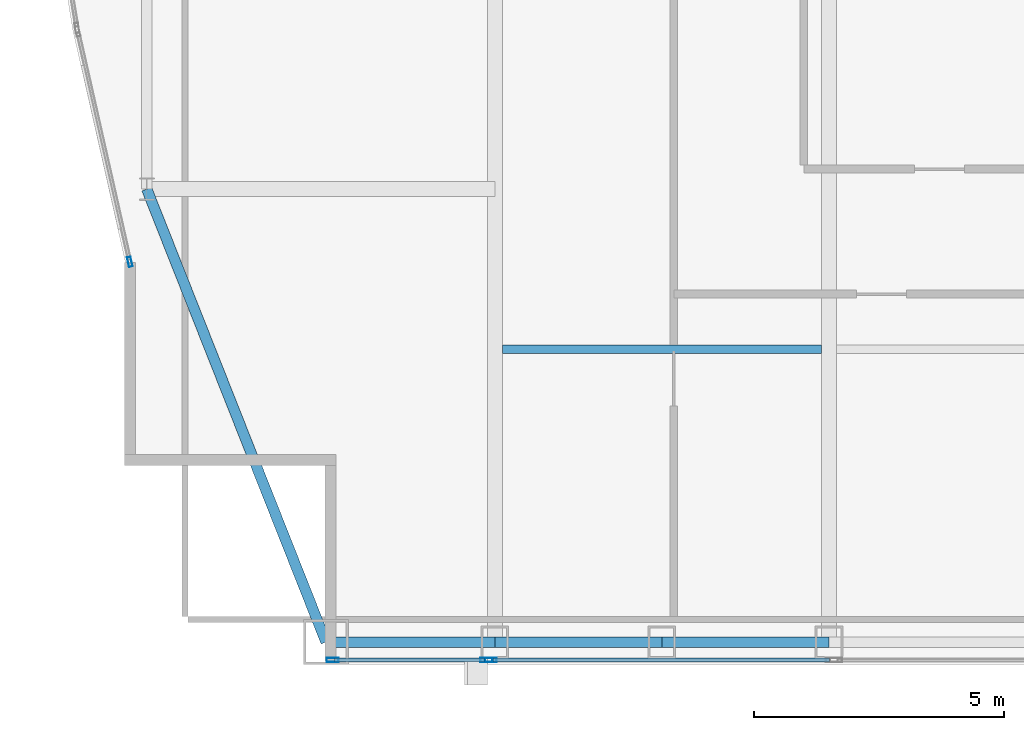
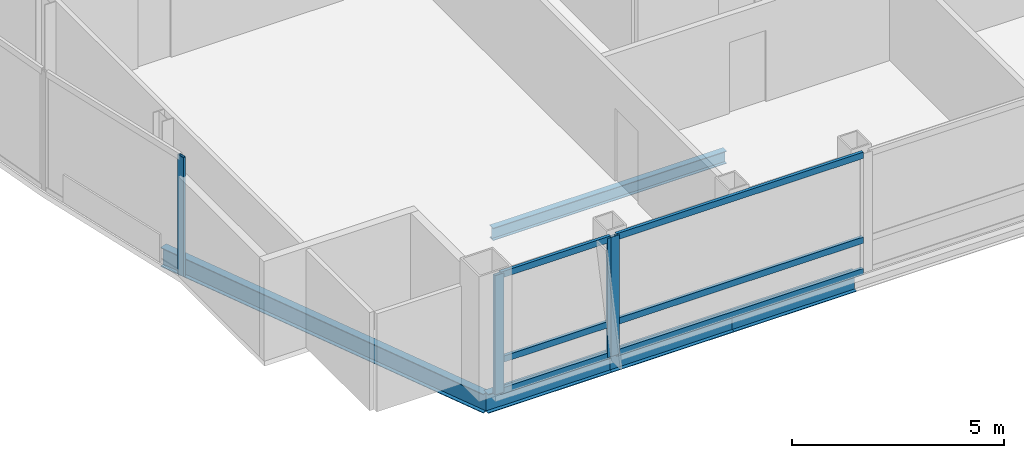
# One storey, part 4 of 29: 10 members, 5 beams, 3 elements without a shape of their own.
"""IFC4 building model written with IfcOpenShell, lengths in metres."""

from ifc_helpers import new_model, si_unit, direction, frame, origin, origin_2d, place, context, subcontext, project, spatial, hollow_rectangle, i_section, extrude, material, material_profile, profile_set, type_object, element, aggregate, save


model = new_model("IFC4")

# Units and contexts
model_context = context("Model", 3, precision=1e-05, world=origin(), true_north=direction((0.0, 1.0)))
body_context = subcontext(model_context, "Body", "Model", "MODEL_VIEW")
ifc_project = project(units=[si_unit("LENGTHUNIT", "METRE"), si_unit("AREAUNIT", "SQUARE_METRE"), si_unit("VOLUMEUNIT", "CUBIC_METRE"), si_unit("PLANEANGLEUNIT", "RADIAN"), si_unit("MASSUNIT", "GRAM", prefix="KILO")], contexts=[model_context])

# Site, building, storey
site_placement = place(None, origin())
site = spatial("IfcSite", under=ifc_project, at=site_placement, CompositionType="ELEMENT")
building_placement = place(site_placement, origin())
building = spatial("IfcBuilding", under=site, at=building_placement, Name="Khoronbel Lancet Exchange", CompositionType="ELEMENT")
storey_placement = place(building_placement, frame((0.0, 0.0, 318.199951171875)))
storey = spatial("IfcBuildingStorey", under=building, at=storey_placement, Name="L82", CompositionType="ELEMENT", Elevation=318.199951171875)

# Beams
ifc_material_1 = material(Name="Steel S355", Category="steel")
ifc_material_profile_1 = material_profile(ifc_material_1, i_section(OverallWidth=0.169921875, OverallDepth=0.360107421875, WebThickness=0.008056640625, FlangeThickness=0.0126953125, at=origin_2d()), Name="IPE 360")
ifc_profile_set_1 = profile_set([ifc_material_profile_1], Name="Steel S355")
beam_type_1 = type_object("IfcBeamType", Name="BM-BJ6", PredefinedType="JOIST", material=ifc_profile_set_1)
beam_1_placement = place(storey_placement, frame((18.375, 16.0, -0.33984375), z_axis=(1.0, 0.0, 0.0), x_axis=(0.0, 1.0, 0.0)))
element("IfcBeam", 1, at=beam_1_placement, inside=storey, type_object=beam_type_1, Name="Level L82 secondary composite joist J01", PredefinedType="JOIST", context=body_context, shape_type="SweptSolid", body=[
    extrude(i_section(OverallWidth=0.169921875, OverallDepth=0.360107421875, WebThickness=0.008056640625, FlangeThickness=0.0126953125, at=origin_2d()), origin(), (0.0, 0.0, 1.0), 6.375),
])
ifc_material_profile_2 = material_profile(ifc_material_1, i_section(OverallWidth=0.2099609375, OverallDepth=0.550048828125, WebThickness=0.010986328125, FlangeThickness=0.01708984375, at=origin_2d()), Name="IPE 550")
ifc_profile_set_2 = profile_set([ifc_material_profile_2], Name="Steel S355")
beam_type_2 = type_object("IfcBeamType", Name="BM-BSP3", PredefinedType="SPANDREL", material=ifc_profile_set_2)
beam_2_placement = place(storey_placement, frame((14.85009765625, 10.14990234375, -0.43505859375), z_axis=(1.0, 0.0, 0.0), x_axis=(0.0, 1.0, 0.0)))
element("IfcBeam", 2, at=beam_2_placement, inside=storey, type_object=beam_type_2, Name="Level L82 perimeter spandrel beam SP01", PredefinedType="SPANDREL", context=body_context, shape_type="SweptSolid", body=[
    extrude(i_section(OverallWidth=0.2099609375, OverallDepth=0.550048828125, WebThickness=0.010986328125, FlangeThickness=0.01708984375, at=origin_2d()), origin(), (0.0, 0.0, 1.0), 3.375),
])
for number, where, z_axis, x_axis, name in (
    (3, (18.22509765625, 10.14990234375, -0.43505859375), (1.0, 0.0, 0.0), (0.0, 1.0, 0.0), "Level L82 perimeter spandrel beam SP02"),
    (4, (21.5625, 10.14990234375, -0.43505859375), (1.0, 0.0, 0.0), (0.0, 1.0, 0.0), "Level L82 perimeter spandrel beam SP03"),
):
    element("IfcBeam", number, at=place(storey_placement, frame(where, z_axis=z_axis, x_axis=x_axis)), inside=storey, type_object=beam_type_2, Name=name, PredefinedType="SPANDREL", context=body_context, shape_type="SweptSolid", body=[
        extrude(i_section(OverallWidth=0.2099609375, OverallDepth=0.550048828125, WebThickness=0.010986328125, FlangeThickness=0.01708984375, at=origin_2d()), origin(), (0.0, 0.0, 1.0), 3.33740234375),
    ])
beam_3_placement = place(storey_placement, frame((11.27001953125, 19.199951171875, -0.43505859375), z_axis=(0.367850095026, -0.92988510451, 0.0), x_axis=(0.92988510451, 0.367850095026, 0.0)))
element("IfcBeam", 5, at=beam_3_placement, inside=storey, type_object=beam_type_2, Name="Level L82 perimeter spandrel beam SP19", PredefinedType="SPANDREL", context=body_context, shape_type="SweptSolid", body=[
    extrude(i_section(OverallWidth=0.2099609375, OverallDepth=0.550048828125, WebThickness=0.010986328125, FlangeThickness=0.01708984375, at=origin_2d()), origin(), (0.0, 0.0, 1.0), 9.732421875),
])

# Curtain wall, members
ifc_material_2 = material(Name="Low-E Solar Control Insulating Glass", Category="glass")
curtain_wall_type_1 = type_object("IfcCurtainWallType", Name="CW-3", PredefinedType="NOTDEFINED", material=ifc_material_2)
curtain_wall_1_placement = place(storey_placement, origin())
curtain_wall_1 = element("IfcCurtainWall", 6, at=curtain_wall_1_placement, inside=storey, type_object=curtain_wall_type_1, Name="Unitised curtain wall CW-L82-SWV", PredefinedType="NOTDEFINED")
ifc_material_3 = material(Name="Bronze-Anodised Aluminium 6063-T6", Category="aluminium")
ifc_material_profile_3 = material_profile(ifc_material_3, hollow_rectangle(XDim=0.0849609375, YDim=0.239990234375, WallThickness=0.006103515625, at=origin_2d()), Name="ALU MULLION 85x240")
ifc_profile_set_3 = profile_set([ifc_material_profile_3], Name="Bronze-Anodised Aluminium 6063-T6")
member_type_1 = type_object("IfcMemberType", Name="MEM-CWM1", PredefinedType="MULLION", material=ifc_profile_set_3)
member_1_placement = place(storey_placement, frame((14.982421875, 9.7900390625, 0.0), z_axis=(0.0, 0.0, 1.0), x_axis=(0.0, 1.0, 0.0)))
member_1 = element("IfcMember", 7, at=member_1_placement, type_object=member_type_1, Name="CW3 mullion 1", PredefinedType="MULLION", context=body_context, shape_type="SweptSolid", body=[
    extrude(hollow_rectangle(XDim=0.0849609375, YDim=0.239990234375, WallThickness=0.006103515625, at=origin_2d()), origin(), (0.0, 0.0, 1.0), 3.43994140625),
])
member_2_placement = place(storey_placement, frame((18.0576171875, 9.7900390625, 0.0), z_axis=(0.0, 0.0, 1.0), x_axis=(0.0, 1.0, 0.0)))
member_2 = element("IfcMember", 8, at=member_2_placement, type_object=member_type_1, Name="CW3 mullion 2", PredefinedType="MULLION", context=body_context, shape_type="SweptSolid", body=[
    extrude(hollow_rectangle(XDim=0.0849609375, YDim=0.239990234375, WallThickness=0.006103515625, at=origin_2d()), origin(), (0.0, 0.0, 1.0), 3.43994140625),
])

# Curtain wall, member
curtain_wall_2_placement = place(storey_placement, origin())
curtain_wall_2 = element("IfcCurtainWall", 9, at=curtain_wall_2_placement, inside=storey, type_object=curtain_wall_type_1, Name="Unitised curtain wall CW-L82-SWB", PredefinedType="NOTDEFINED")
member_3_placement = place(storey_placement, frame((18.142578125, 9.7900390625, 0.0), z_axis=(0.0, 0.0, 1.0), x_axis=(0.0, 1.0, 0.0)))
member_3 = element("IfcMember", 10, at=member_3_placement, type_object=member_type_1, Name="CW3 mullion 1", PredefinedType="MULLION", context=body_context, shape_type="SweptSolid", body=[
    extrude(hollow_rectangle(XDim=0.0849609375, YDim=0.239990234375, WallThickness=0.006103515625, at=origin_2d()), origin(), (0.0, 0.0, 1.0), 3.43994140625),
])

curtain_wall_type_2 = type_object("IfcCurtainWallType", Name="CW-4", PredefinedType="NOTDEFINED", material=ifc_material_2)
curtain_wall_3_placement = place(storey_placement, origin())
curtain_wall_3 = element("IfcCurtainWall", 11, at=curtain_wall_3_placement, inside=storey, type_object=curtain_wall_type_2, Name="Unitised curtain wall CW-L82-E04", PredefinedType="NOTDEFINED")
ifc_material_profile_4 = material_profile(ifc_material_3, hollow_rectangle(XDim=0.074951171875, YDim=0.199951171875, WallThickness=0.0048828125, at=origin_2d()), Name="ALU MULLION 75x200")
ifc_profile_set_4 = profile_set([ifc_material_profile_4], Name="Bronze-Anodised Aluminium 6063-T6")
member_type_2 = type_object("IfcMemberType", Name="MEM-CWM2", PredefinedType="MULLION", material=ifc_profile_set_4)
member_4_placement = place(storey_placement, frame((10.931640625, 17.74658203125, 0.0), z_axis=(0.0, 0.0, 1.0), x_axis=(-0.975333138033, -0.220738011804, 0.0)))
member_4 = element("IfcMember", 12, at=member_4_placement, type_object=member_type_2, Name="CW4 mullion 1", PredefinedType="MULLION", context=body_context, shape_type="SweptSolid", body=[
    extrude(hollow_rectangle(XDim=0.074951171875, YDim=0.199951171875, WallThickness=0.0048828125, at=origin_2d()), origin(), (0.0, 0.0, 1.0), 3.43994140625),
])
aggregate(curtain_wall_3, [member_4])

# Member
ifc_material_profile_5 = material_profile(ifc_material_3, hollow_rectangle(XDim=0.0849609375, YDim=0.179931640625, WallThickness=0.0048828125, at=origin_2d()), Name="ALU TRANSOM 85x180")
ifc_profile_set_5 = profile_set([ifc_material_profile_5], Name="Bronze-Anodised Aluminium 6063-T6")
member_type_3 = type_object("IfcMemberType", Name="MEM-CWT1", PredefinedType="USERDEFINED", material=ifc_profile_set_5)
member_5_placement = place(storey_placement, frame((15.02490234375, 9.7900390625, 0.04248046875), z_axis=(1.0, 0.0, 0.0), x_axis=(0.0, 1.0, 0.0)))
member_5 = element("IfcMember", 13, at=member_5_placement, type_object=member_type_3, Name="CW3 transom 1.1", ObjectType="TRANSOM", PredefinedType="USERDEFINED", context=body_context, shape_type="SweptSolid", body=[
    extrude(hollow_rectangle(XDim=0.0849609375, YDim=0.179931640625, WallThickness=0.0048828125, at=origin_2d()), origin(), (0.0, 0.0, 1.0), 2.989990234375),
])

member_6_placement = place(storey_placement, frame((15.02490234375, 9.7900390625, 0.949951171875), z_axis=(1.0, 0.0, 0.0), x_axis=(0.0, 1.0, 0.0)))
member_6 = element("IfcMember", 14, at=member_6_placement, type_object=member_type_3, Name="CW3 transom 1.2", ObjectType="TRANSOM", PredefinedType="USERDEFINED", context=body_context, shape_type="SweptSolid", body=[
    extrude(hollow_rectangle(XDim=0.0849609375, YDim=0.179931640625, WallThickness=0.0048828125, at=origin_2d()), origin(), (0.0, 0.0, 1.0), 2.989990234375),
])

member_7_placement = place(storey_placement, frame((15.02490234375, 9.7900390625, 3.3974609375), z_axis=(1.0, 0.0, 0.0), x_axis=(0.0, 1.0, 0.0)))
member_7 = element("IfcMember", 15, at=member_7_placement, type_object=member_type_3, Name="CW3 transom 1.3", ObjectType="TRANSOM", PredefinedType="USERDEFINED", context=body_context, shape_type="SweptSolid", body=[
    extrude(hollow_rectangle(XDim=0.0849609375, YDim=0.179931640625, WallThickness=0.0048828125, at=origin_2d()), origin(), (0.0, 0.0, 1.0), 2.989990234375),
])

aggregate(curtain_wall_1, [member_1, member_2, member_5, member_6, member_7])

member_8_placement = place(storey_placement, frame((18.18505859375, 9.7900390625, 0.04248046875), z_axis=(1.0, 0.0, 0.0), x_axis=(0.0, 1.0, 0.0)))
member_8 = element("IfcMember", 16, at=member_8_placement, type_object=member_type_3, Name="CW3 transom 1.1", ObjectType="TRANSOM", PredefinedType="USERDEFINED", context=body_context, shape_type="SweptSolid", body=[
    extrude(hollow_rectangle(XDim=0.0849609375, YDim=0.179931640625, WallThickness=0.0048828125, at=origin_2d()), origin(), (0.0, 0.0, 1.0), 6.72998046875),
])

member_9_placement = place(storey_placement, frame((18.18505859375, 9.7900390625, 0.949951171875), z_axis=(1.0, 0.0, 0.0), x_axis=(0.0, 1.0, 0.0)))
member_9 = element("IfcMember", 17, at=member_9_placement, type_object=member_type_3, Name="CW3 transom 1.2", ObjectType="TRANSOM", PredefinedType="USERDEFINED", context=body_context, shape_type="SweptSolid", body=[
    extrude(hollow_rectangle(XDim=0.0849609375, YDim=0.179931640625, WallThickness=0.0048828125, at=origin_2d()), origin(), (0.0, 0.0, 1.0), 6.72998046875),
])

member_10_placement = place(storey_placement, frame((18.18505859375, 9.7900390625, 3.3974609375), z_axis=(1.0, 0.0, 0.0), x_axis=(0.0, 1.0, 0.0)))
member_10 = element("IfcMember", 18, at=member_10_placement, type_object=member_type_3, Name="CW3 transom 1.3", ObjectType="TRANSOM", PredefinedType="USERDEFINED", context=body_context, shape_type="SweptSolid", body=[
    extrude(hollow_rectangle(XDim=0.0849609375, YDim=0.179931640625, WallThickness=0.0048828125, at=origin_2d()), origin(), (0.0, 0.0, 1.0), 6.72998046875),
])

aggregate(curtain_wall_2, [member_3, member_8, member_9, member_10])

save(model, "model.ifc")
